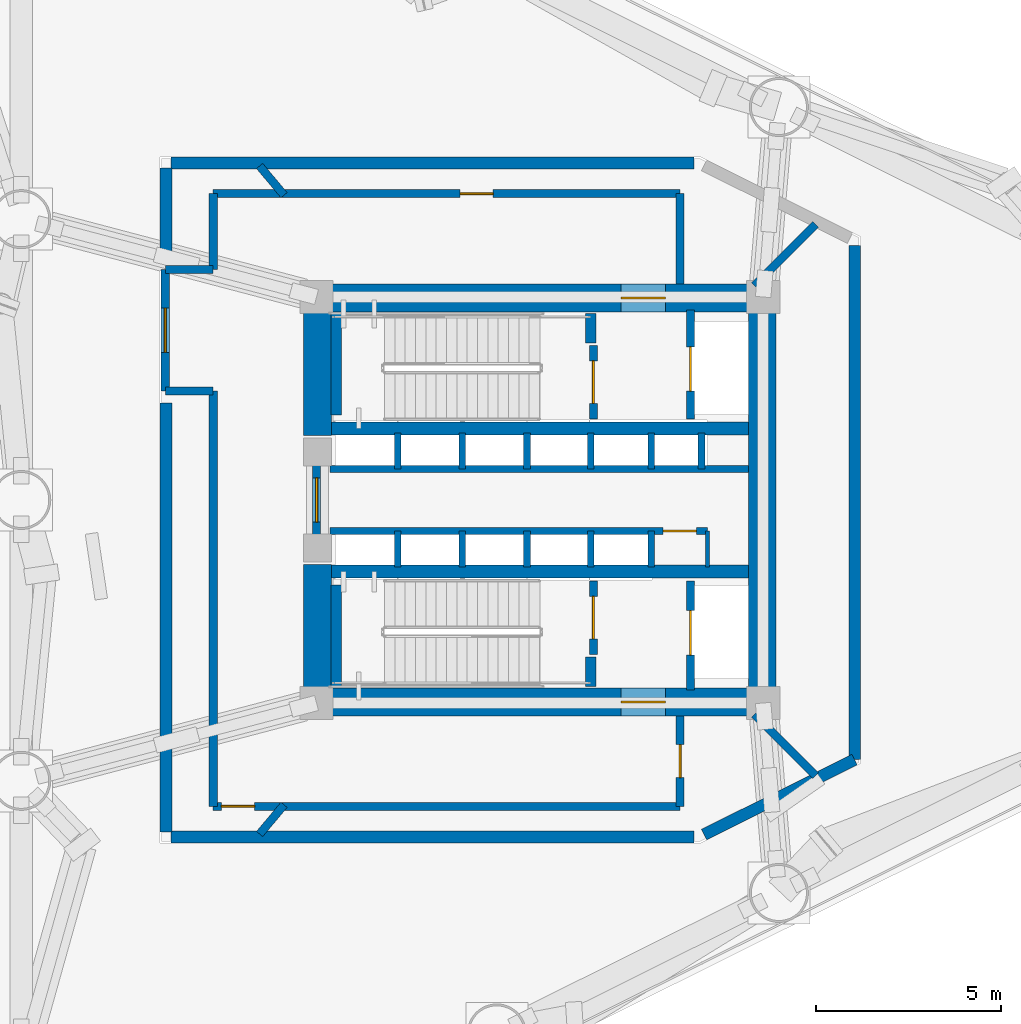
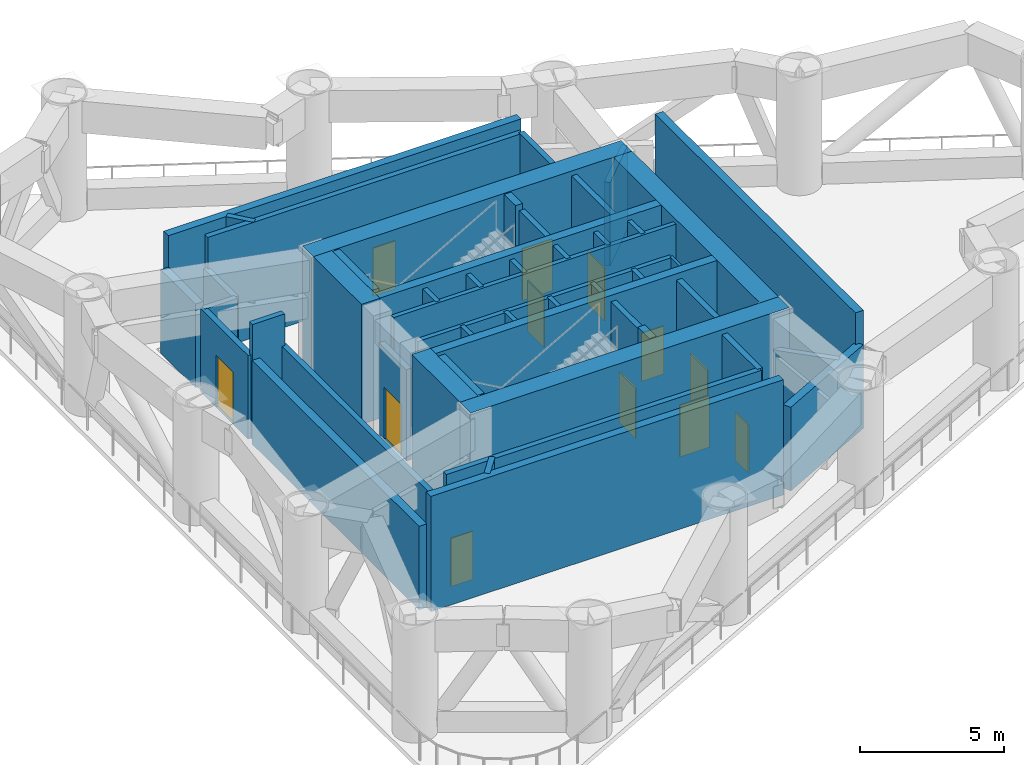
# One storey, part 4 of 8: 49 walls, 12 doors, 12 openings.
"""IFC4 building model written with IfcOpenShell, lengths in metres."""

from ifc_helpers import new_model, si_unit, direction, frame, frame_2d, origin, place, context, subcontext, project, spatial, rectangle, extrude, material, layer, layer_set, type_object, element, fill, save


model = new_model("IFC4")

# Units and contexts
model_context = context("Model", 3, precision=1e-05, world=origin(), true_north=direction((0.0, 1.0)))
body_context = subcontext(model_context, "Body", "Model", "MODEL_VIEW")
ifc_project = project(units=[si_unit("LENGTHUNIT", "METRE"), si_unit("AREAUNIT", "SQUARE_METRE"), si_unit("VOLUMEUNIT", "CUBIC_METRE"), si_unit("PLANEANGLEUNIT", "RADIAN"), si_unit("MASSUNIT", "GRAM", prefix="KILO")], contexts=[model_context])

# Site, building, storey
site_placement = place(None, origin())
site = spatial("IfcSite", under=ifc_project, at=site_placement, CompositionType="ELEMENT")
building_placement = place(site_placement, origin())
building = spatial("IfcBuilding", under=site, at=building_placement, Name="Yunling Apex Tower", CompositionType="ELEMENT")
storey_placement = place(building_placement, frame((0.0, 0.0, 49.699951171875)))
storey = spatial("IfcBuildingStorey", under=building, at=storey_placement, Name="RF1", CompositionType="ELEMENT", Elevation=49.699951171875)

# Wall, opening, door
ifc_material_1 = material(Name="Concrete C60", Category="concrete")
ifc_layer_1 = layer(ifc_material_1, 0.75)
ifc_layer_set_1 = layer_set([ifc_layer_1], Name="Concrete C60")
wall_type_1 = type_object("IfcWallType", Name="WL-COR-1", PredefinedType="SHEAR", material=ifc_layer_set_1)
wall_1_placement = place(storey_placement, frame((-6.39990234375, 5.47509765625, 0.0), z_axis=(0.0, 0.0, 1.0), x_axis=(1.0, 0.0, 0.0)))
wall_1 = element("IfcWall", 1, at=wall_1_placement, inside=storey, type_object=wall_type_1, Name="RF1 North Core Shear Wall", PredefinedType="SHEAR", context=body_context, shape_type="SweptSolid", body=[
    extrude(rectangle(XDim=12.7998046875, YDim=0.75, at=frame_2d((6.39990234375, 0.0))), origin(), (0.0, 0.0, 1.0), 5.10009765625),
])
opening_1_placement = place(wall_1_placement, frame((8.60009765625, 0.0, 0.0)))
opening_1 = element("IfcOpeningElement", 2, at=opening_1_placement, cuts=wall_1, Name="Opening DR-FFL-1", PredefinedType="OPENING", context=body_context, shape_type="SweptSolid", body=[
    extrude(rectangle(XDim=1.199951171875, YDim=2.199951171875, at=frame_2d((0.60009765625, 1.10009765625))), frame((0.0, 0.385009765625, 0.0), z_axis=(0.0, -1.0, 0.0), x_axis=(1.0, 0.0, 0.0)), (0.0, 0.0, 1.0), 0.77001953125),
])
ifc_material_2 = material(Name="Steel Q355B", Category="steel")
door_type_1 = type_object("IfcDoorType", Name="DR-FFL-1", OperationType="NOTDEFINED", PredefinedType="DOOR", material=ifc_material_2)
door_1_placement = place(opening_1_placement, origin())
door_1 = element("IfcDoor", 3, at=door_1_placement, inside=storey, type_object=door_type_1, Name="RF1 North Firefighting Lobby Door", OperationType="SINGLE_SWING_LEFT", OverallHeight=2.199951171875, OverallWidth=1.199951171875, PredefinedType="DOOR", context=body_context, shape_type="SweptSolid", body=[
    extrude(rectangle(XDim=1.199951171875, YDim=2.199951171875, at=frame_2d((0.60009765625, 1.10009765625))), frame((0.0, 0.02490234375, 0.0), z_axis=(0.0, -1.0, 0.0), x_axis=(1.0, 0.0, 0.0)), (0.0, 0.0, 1.0), 0.050048828125),
])
fill(opening_1, door_1)

wall_2_placement = place(storey_placement, frame((-6.39990234375, -5.47509765625, 0.0), z_axis=(0.0, 0.0, 1.0), x_axis=(1.0, 0.0, 0.0)))
wall_2 = element("IfcWall", 4, at=wall_2_placement, inside=storey, type_object=wall_type_1, Name="RF1 South Core Shear Wall", PredefinedType="SHEAR", context=body_context, shape_type="SweptSolid", body=[
    extrude(rectangle(XDim=12.7998046875, YDim=0.75, at=frame_2d((6.39990234375, 0.0))), origin(), (0.0, 0.0, 1.0), 5.10009765625),
])
opening_2_placement = place(wall_2_placement, frame((8.60009765625, 0.0, 0.0)))
opening_2 = element("IfcOpeningElement", 5, at=opening_2_placement, cuts=wall_2, Name="Opening DR-FFL-1", PredefinedType="OPENING", context=body_context, shape_type="SweptSolid", body=[
    extrude(rectangle(XDim=1.199951171875, YDim=2.199951171875, at=frame_2d((0.60009765625, 1.10009765625))), frame((0.0, 0.385009765625, 0.0), z_axis=(0.0, -1.0, 0.0), x_axis=(1.0, 0.0, 0.0)), (0.0, 0.0, 1.0), 0.77001953125),
])
door_2_placement = place(opening_2_placement, origin())
door_2 = element("IfcDoor", 6, at=door_2_placement, inside=storey, type_object=door_type_1, Name="RF1 South Firefighting Lobby Door", OperationType="SINGLE_SWING_RIGHT", OverallHeight=2.199951171875, OverallWidth=1.199951171875, PredefinedType="DOOR", context=body_context, shape_type="SweptSolid", body=[
    extrude(rectangle(XDim=1.199951171875, YDim=2.199951171875, at=frame_2d((0.60009765625, 1.10009765625))), frame((0.0, 0.02490234375, 0.0), z_axis=(0.0, -1.0, 0.0), x_axis=(1.0, 0.0, 0.0)), (0.0, 0.0, 1.0), 0.050048828125),
])
fill(opening_2, door_2)

# Walls
wall_3_placement = place(storey_placement, frame((6.02490234375, -5.10009765625, 0.0), z_axis=(0.0, 0.0, 1.0), x_axis=(0.0, 1.0, 0.0)))
element("IfcWall", 7, at=wall_3_placement, inside=storey, type_object=wall_type_1, Name="RF1 East Core Shear Wall", PredefinedType="SHEAR", context=body_context, shape_type="SweptSolid", body=[
    extrude(rectangle(XDim=10.2001953125, YDim=0.75, at=frame_2d((5.10009765625, 0.0))), origin(), (0.0, 0.0, 1.0), 5.10009765625),
])
for number, where, z_axis, x_axis, name in (
    (8, (-6.02490234375, -5.10009765625, 0.0), (0.0, 0.0, 1.0), (0.0, 1.0, 0.0), "RF1 West-South Core Shear Wall"),
    (9, (-6.02490234375, 1.75, 0.0), (0.0, 0.0, 1.0), (0.0, 1.0, 0.0), "RF1 West-North Core Shear Wall"),
):
    element("IfcWall", number, at=place(storey_placement, frame(where, z_axis=z_axis, x_axis=x_axis)), inside=storey, type_object=wall_type_1, Name=name, PredefinedType="SHEAR", context=body_context, shape_type="SweptSolid", body=[
        extrude(rectangle(XDim=3.35009765625, YDim=0.75, at=frame_2d((1.675048828125, 0.0))), origin(), (0.0, 0.0, 1.0), 5.10009765625),
    ])
ifc_material_3 = material(Name="Concrete C40", Category="concrete")
ifc_layer_2 = layer(ifc_material_3, 0.360107421875)
ifc_layer_set_2 = layer_set([ifc_layer_2], Name="Concrete C40")
wall_type_2 = type_object("IfcWallType", Name="WL-COR-4", PredefinedType="SHEAR", material=ifc_layer_set_2)
for number, where, z_axis, x_axis, name in (
    (10, (-5.64990234375, 1.93994140625, 0.0), (0.0, 0.0, 1.0), (1.0, 0.0, 0.0), "RF1 North Internal Core Shear Wall"),
    (11, (-5.64990234375, -1.93994140625, 0.0), (0.0, 0.0, 1.0), (1.0, 0.0, 0.0), "RF1 South Internal Core Shear Wall"),
):
    element("IfcWall", number, at=place(storey_placement, frame(where, z_axis=z_axis, x_axis=x_axis)), inside=storey, type_object=wall_type_2, Name=name, PredefinedType="SHEAR", context=body_context, shape_type="SweptSolid", body=[
        extrude(rectangle(XDim=11.2998046875, YDim=0.360107421875, at=frame_2d((5.64990234375, 0.0))), origin(), (0.0, 0.0, 1.0), 5.10009765625),
    ])
ifc_layer_3 = layer(ifc_material_3, 0.280029296875)
ifc_layer_set_3 = layer_set([ifc_layer_3], Name="Concrete C40")
wall_type_3 = type_object("IfcWallType", Name="WL-COR-8", PredefinedType="SHEAR", material=ifc_layer_set_3)
wall_4_placement = place(storey_placement, frame((-5.52001953125, 2.300048828125, 0.0), z_axis=(0.0, 0.0, 1.0), x_axis=(0.0, 1.0, 0.0)))
element("IfcWall", 12, at=wall_4_placement, inside=storey, type_object=wall_type_3, Name="RF1 ST-1 West Landing Bearing Wall", PredefinedType="SHEAR", context=body_context, shape_type="SweptSolid", body=[
    extrude(rectangle(XDim=2.75, YDim=0.280029296875, at=frame_2d((1.375, 0.0))), origin(), (0.0, 0.0, 1.0), 5.10009765625),
])
wall_5_placement = place(storey_placement, frame((1.3798828125, 4.25, 0.0), z_axis=(0.0, 0.0, 1.0), x_axis=(0.0, 1.0, 0.0)))
element("IfcWall", 13, at=wall_5_placement, inside=storey, type_object=wall_type_3, Name="RF1 ST-1 East Landing Bearing Pier", PredefinedType="SHEAR", context=body_context, shape_type="SweptSolid", body=[
    extrude(rectangle(XDim=0.800048828125, YDim=0.280029296875, at=frame_2d((0.39990234375, 0.0))), origin(), (0.0, 0.0, 1.0), 5.10009765625),
])
wall_6_placement = place(storey_placement, frame((-5.52001953125, -5.050048828125, 0.0), z_axis=(0.0, 0.0, 1.0), x_axis=(0.0, 1.0, 0.0)))
element("IfcWall", 14, at=wall_6_placement, inside=storey, type_object=wall_type_3, Name="RF1 ST-2 West Landing Bearing Wall", PredefinedType="SHEAR", context=body_context, shape_type="SweptSolid", body=[
    extrude(rectangle(XDim=2.75, YDim=0.280029296875, at=frame_2d((1.375, 0.0))), origin(), (0.0, 0.0, 1.0), 5.10009765625),
])
wall_7_placement = place(storey_placement, frame((1.3798828125, -5.050048828125, 0.0), z_axis=(0.0, 0.0, 1.0), x_axis=(0.0, 1.0, 0.0)))
element("IfcWall", 15, at=wall_7_placement, inside=storey, type_object=wall_type_3, Name="RF1 ST-2 East Landing Bearing Pier", PredefinedType="SHEAR", context=body_context, shape_type="SweptSolid", body=[
    extrude(rectangle(XDim=0.800048828125, YDim=0.280029296875, at=frame_2d((0.39990234375, 0.0))), origin(), (0.0, 0.0, 1.0), 5.10009765625),
])
ifc_material_4 = material(Name="Precast concrete C40", Category="concrete")
ifc_layer_4 = layer(ifc_material_4, 0.320068359375)
ifc_layer_set_4 = layer_set([ifc_layer_4], Name="Precast concrete C40")
wall_type_4 = type_object("IfcWallType", Name="WL-EXT-1", PredefinedType="SOLIDWALL", material=ifc_layer_set_4)
wall_8_placement = place(storey_placement, frame((8.530029296875, -7.03515625, 0.0), z_axis=(0.0, 0.0, 1.0), x_axis=(-0.89523927292, -0.445585731619, 0.0)))
element("IfcWall", 16, at=wall_8_placement, inside=storey, type_object=wall_type_4, Name="WL-RF1-IR-01", PredefinedType="SOLIDWALL", context=body_context, shape_type="SweptSolid", body=[
    extrude(rectangle(XDim=4.561279296875, YDim=0.320068359375, at=frame_2d((2.28076171875, 0.0))), origin(), (0.0, 0.0, 1.0), 3.550048828125),
])
wall_9_placement = place(storey_placement, frame((4.18115234375, -9.1298828125, 0.0), z_axis=(0.0, 0.0, 1.0), x_axis=(-1.0, 0.0, 0.0)))
element("IfcWall", 17, at=wall_9_placement, inside=storey, type_object=wall_type_4, Name="WL-RF1-IR-02", PredefinedType="SOLIDWALL", context=body_context, shape_type="SweptSolid", body=[
    extrude(rectangle(XDim=14.171142578125, YDim=0.320068359375, at=frame_2d((7.08544921875, 0.0))), origin(), (0.0, 0.0, 1.0), 4.89501953125),
])
wall_10_placement = place(storey_placement, frame((-10.1298828125, -8.989990234375, 0.0), z_axis=(0.0, 0.0, 1.0), x_axis=(0.0, 1.0, 0.0)))
element("IfcWall", 18, at=wall_10_placement, inside=storey, type_object=wall_type_4, Name="WL-RF1-IR-03", PredefinedType="SOLIDWALL", context=body_context, shape_type="SweptSolid", body=[
    extrude(rectangle(XDim=11.619873046875, YDim=0.320068359375, at=frame_2d((5.81005859375, 0.0))), origin(), (0.0, 0.0, 1.0), 3.550048828125),
])
wall_11_placement = place(storey_placement, frame((-10.1298828125, 6.570068359375, 0.0), z_axis=(0.0, 0.0, 1.0), x_axis=(0.0, 1.0, 0.0)))
element("IfcWall", 19, at=wall_11_placement, inside=storey, type_object=wall_type_4, Name="WL-RF1-IR-04", PredefinedType="SOLIDWALL", context=body_context, shape_type="SweptSolid", body=[
    extrude(rectangle(XDim=2.419921875, YDim=0.320068359375, at=frame_2d((1.2099609375, 0.0))), origin(), (0.0, 0.0, 1.0), 3.550048828125),
])
wall_12_placement = place(storey_placement, frame((-9.989990234375, 9.1298828125, 0.0), z_axis=(0.0, 0.0, 1.0), x_axis=(1.0, 0.0, 0.0)))
element("IfcWall", 20, at=wall_12_placement, inside=storey, type_object=wall_type_4, Name="WL-RF1-IR-05", PredefinedType="SOLIDWALL", context=body_context, shape_type="SweptSolid", body=[
    extrude(rectangle(XDim=14.171142578125, YDim=0.320068359375, at=frame_2d((7.08544921875, 0.0))), origin(), (0.0, 0.0, 1.0), 4.89501953125),
])
wall_13_placement = place(storey_placement, frame((8.530029296875, 6.895263671875, 0.0), z_axis=(0.0, 0.0, 1.0), x_axis=(0.0, -1.0, 0.0)))
element("IfcWall", 21, at=wall_13_placement, inside=storey, type_object=wall_type_4, Name="WL-RF1-IR-07", PredefinedType="SOLIDWALL", context=body_context, shape_type="SweptSolid", body=[
    extrude(rectangle(XDim=13.930419921875, YDim=0.320068359375, at=frame_2d((6.96533203125, 0.0))), origin(), (0.0, 0.0, 1.0), 4.89501953125),
])
ifc_material_5 = material(Name="Gypsum board acoustic partition")
ifc_layer_5 = layer(ifc_material_5, 0.10009765625)
ifc_layer_set_5 = layer_set([ifc_layer_5], Name="Gypsum board acoustic partition")
wall_type_5 = type_object("IfcWallType", Name="WL-PRT-4", PredefinedType="PARTITIONING", material=ifc_layer_set_5)
wall_14_placement = place(storey_placement, frame((4.5400390625, -1.820068359375, 0.0), z_axis=(0.0, 0.0, 1.0), x_axis=(0.0, 1.0, 0.0)))
element("IfcWall", 22, at=wall_14_placement, inside=storey, type_object=wall_type_5, Name="WL-KASE-E-RF1", PredefinedType="PARTITIONING", context=body_context, shape_type="SweptSolid", body=[
    extrude(rectangle(XDim=0.97998046875, YDim=0.10009765625, at=frame_2d((0.489990234375, 0.0))), origin(), (0.0, 0.0, 1.0), 4.89501953125),
])

# Wall, opening, door
ifc_material_6 = material(Name="Autoclaved aerated concrete masonry", Category="masonry")
ifc_layer_6 = layer(ifc_material_6, 0.219970703125)
ifc_layer_set_6 = layer_set([ifc_layer_6], Name="Autoclaved aerated concrete masonry")
wall_type_6 = type_object("IfcWallType", Name="WL-SHF-1", PredefinedType="PLUMBINGWALL", material=ifc_layer_set_6)
wall_15_placement = place(storey_placement, frame((-6.050048828125, -0.949951171875, 0.0), z_axis=(0.0, 0.0, 1.0), x_axis=(0.0, 1.0, 0.0)))
wall_15 = element("IfcWall", 23, at=wall_15_placement, inside=storey, type_object=wall_type_6, Name="WL-COR-WPORT-RF1", PredefinedType="PLUMBINGWALL", context=body_context, shape_type="SweptSolid", body=[
    extrude(rectangle(XDim=1.89990234375, YDim=0.219970703125, at=frame_2d((0.949951171875, 0.0))), origin(), (0.0, 0.0, 1.0), 3.875),
])
opening_3_placement = place(wall_15_placement, frame((0.35009765625, 0.0, 0.0)))
opening_3 = element("IfcOpeningElement", 24, at=opening_3_placement, cuts=wall_15, Name="Opening DR-FFL-1", PredefinedType="OPENING", context=body_context, shape_type="SweptSolid", body=[
    extrude(rectangle(XDim=1.199951171875, YDim=2.199951171875, at=frame_2d((0.60009765625, 1.10009765625))), frame((0.0, 0.1201171875, 0.0), z_axis=(0.0, -1.0, 0.0), x_axis=(1.0, 0.0, 0.0)), (0.0, 0.0, 1.0), 0.239990234375),
])
door_3_placement = place(opening_3_placement, origin())
door_3 = element("IfcDoor", 25, at=door_3_placement, inside=storey, type_object=door_type_1, Name="RF1 Passenger Lift Lobby Entrance Door", OperationType="SINGLE_SWING_RIGHT", OverallHeight=2.199951171875, OverallWidth=1.199951171875, PredefinedType="DOOR", context=body_context, shape_type="SweptSolid", body=[
    extrude(rectangle(XDim=1.199951171875, YDim=2.199951171875, at=frame_2d((0.60009765625, 1.10009765625))), frame((0.0, 0.02490234375, 0.0), z_axis=(0.0, -1.0, 0.0), x_axis=(1.0, 0.0, 0.0)), (0.0, 0.0, 1.0), 0.050048828125),
])
fill(opening_3, door_3)

wall_16_placement = place(storey_placement, frame((1.449951171875, 2.199951171875, 0.0), z_axis=(0.0, 0.0, 1.0), x_axis=(0.0, 1.0, 0.0)))
wall_16 = element("IfcWall", 26, at=wall_16_placement, inside=storey, type_object=wall_type_6, Name="WL-ST1-E-RF1", PredefinedType="PLUMBINGWALL", context=body_context, shape_type="SweptSolid", body=[
    extrude(rectangle(XDim=1.97998046875, YDim=0.219970703125, at=frame_2d((0.989990234375, 0.0))), origin(), (0.0, 0.0, 1.0), 4.89501953125),
])
opening_4_placement = place(wall_16_placement, frame((0.419921875, 0.0, 0.0)))
opening_4 = element("IfcOpeningElement", 27, at=opening_4_placement, cuts=wall_16, Name="Opening DR-ST-1", PredefinedType="OPENING", context=body_context, shape_type="SweptSolid", body=[
    extrude(rectangle(XDim=1.14990234375, YDim=2.14990234375, at=frame_2d((0.574951171875, 1.074951171875))), frame((0.0, 0.1201171875, 0.0), z_axis=(0.0, -1.0, 0.0), x_axis=(1.0, 0.0, 0.0)), (0.0, 0.0, 1.0), 0.239990234375),
])
door_type_2 = type_object("IfcDoorType", Name="DR-ST-1", OperationType="NOTDEFINED", PredefinedType="DOOR", material=ifc_material_2)
door_4_placement = place(opening_4_placement, origin())
door_4 = element("IfcDoor", 28, at=door_4_placement, inside=storey, type_object=door_type_2, Name="RF1 Stair ST-1 Fire Door", OperationType="SINGLE_SWING_LEFT", OverallHeight=2.14990234375, OverallWidth=1.14990234375, PredefinedType="DOOR", context=body_context, shape_type="SweptSolid", body=[
    extrude(rectangle(XDim=1.14990234375, YDim=2.14990234375, at=frame_2d((0.574951171875, 1.074951171875))), frame((0.0, 0.02490234375, 0.0), z_axis=(0.0, -1.0, 0.0), x_axis=(1.0, 0.0, 0.0)), (0.0, 0.0, 1.0), 0.050048828125),
])
fill(opening_4, door_4)

wall_17_placement = place(storey_placement, frame((4.080078125, 2.199951171875, 0.0), z_axis=(0.0, 0.0, 1.0), x_axis=(0.0, 1.0, 0.0)))
wall_17 = element("IfcWall", 29, at=wall_17_placement, inside=storey, type_object=wall_type_6, Name="WL-FFL1-W-RF1", PredefinedType="PLUMBINGWALL", context=body_context, shape_type="SweptSolid", body=[
    extrude(rectangle(XDim=2.949951171875, YDim=0.219970703125, at=frame_2d((1.47509765625, 0.0))), origin(), (0.0, 0.0, 1.0), 4.89501953125),
])
opening_5_placement = place(wall_17_placement, frame((0.75, 0.0, 0.0)))
opening_5 = element("IfcOpeningElement", 30, at=opening_5_placement, cuts=wall_17, Name="Opening LD-FFL-1", PredefinedType="OPENING", context=body_context, shape_type="SweptSolid", body=[
    extrude(rectangle(XDim=1.199951171875, YDim=2.25, at=frame_2d((0.60009765625, 1.125))), frame((0.0, 0.1201171875, 0.0), z_axis=(0.0, -1.0, 0.0), x_axis=(1.0, 0.0, 0.0)), (0.0, 0.0, 1.0), 0.239990234375),
])
door_type_3 = type_object("IfcDoorType", Name="LD-FFL-1", OperationType="DOUBLE_DOOR_SLIDING", PredefinedType="DOOR", material=ifc_material_2)
door_5_placement = place(opening_5_placement, origin())
door_5 = element("IfcDoor", 31, at=door_5_placement, inside=storey, type_object=door_type_3, Name="RF1 Lift FFL-1 Landing Door", OperationType="DOUBLE_DOOR_SLIDING", OverallHeight=2.25, OverallWidth=1.199951171875, PredefinedType="DOOR", context=body_context, shape_type="SweptSolid", body=[
    extrude(rectangle(XDim=1.199951171875, YDim=2.25, at=frame_2d((0.60009765625, 1.125))), frame((0.0, 0.02490234375, 0.0), z_axis=(0.0, -1.0, 0.0), x_axis=(1.0, 0.0, 0.0)), (0.0, 0.0, 1.0), 0.050048828125),
])
fill(opening_5, door_5)

wall_18_placement = place(storey_placement, frame((1.449951171875, -4.179931640625, 0.0), z_axis=(0.0, 0.0, 1.0), x_axis=(0.0, 1.0, 0.0)))
wall_18 = element("IfcWall", 32, at=wall_18_placement, inside=storey, type_object=wall_type_6, Name="WL-ST2-E-RF1", PredefinedType="PLUMBINGWALL", context=body_context, shape_type="SweptSolid", body=[
    extrude(rectangle(XDim=1.97998046875, YDim=0.219970703125, at=frame_2d((0.989990234375, 0.0))), origin(), (0.0, 0.0, 1.0), 4.89501953125),
])
opening_6_placement = place(wall_18_placement, frame((0.419921875, 0.0, 0.0)))
opening_6 = element("IfcOpeningElement", 33, at=opening_6_placement, cuts=wall_18, Name="Opening DR-ST-1", PredefinedType="OPENING", context=body_context, shape_type="SweptSolid", body=[
    extrude(rectangle(XDim=1.14990234375, YDim=2.14990234375, at=frame_2d((0.574951171875, 1.074951171875))), frame((0.0, 0.1201171875, 0.0), z_axis=(0.0, -1.0, 0.0), x_axis=(1.0, 0.0, 0.0)), (0.0, 0.0, 1.0), 0.239990234375),
])
door_6_placement = place(opening_6_placement, origin())
door_6 = element("IfcDoor", 34, at=door_6_placement, inside=storey, type_object=door_type_2, Name="RF1 Stair ST-2 Fire Door", OperationType="SINGLE_SWING_RIGHT", OverallHeight=2.14990234375, OverallWidth=1.14990234375, PredefinedType="DOOR", context=body_context, shape_type="SweptSolid", body=[
    extrude(rectangle(XDim=1.14990234375, YDim=2.14990234375, at=frame_2d((0.574951171875, 1.074951171875))), frame((0.0, 0.02490234375, 0.0), z_axis=(0.0, -1.0, 0.0), x_axis=(1.0, 0.0, 0.0)), (0.0, 0.0, 1.0), 0.050048828125),
])
fill(opening_6, door_6)

wall_19_placement = place(storey_placement, frame((4.080078125, -5.14990234375, 0.0), z_axis=(0.0, 0.0, 1.0), x_axis=(0.0, 1.0, 0.0)))
wall_19 = element("IfcWall", 35, at=wall_19_placement, inside=storey, type_object=wall_type_6, Name="WL-FFL2-W-RF1", PredefinedType="PLUMBINGWALL", context=body_context, shape_type="SweptSolid", body=[
    extrude(rectangle(XDim=2.949951171875, YDim=0.219970703125, at=frame_2d((1.47509765625, 0.0))), origin(), (0.0, 0.0, 1.0), 4.89501953125),
])
opening_7_placement = place(wall_19_placement, frame((0.949951171875, 0.0, 0.0)))
opening_7 = element("IfcOpeningElement", 36, at=opening_7_placement, cuts=wall_19, Name="Opening LD-FFL-1", PredefinedType="OPENING", context=body_context, shape_type="SweptSolid", body=[
    extrude(rectangle(XDim=1.199951171875, YDim=2.25, at=frame_2d((0.60009765625, 1.125))), frame((0.0, 0.1201171875, 0.0), z_axis=(0.0, -1.0, 0.0), x_axis=(1.0, 0.0, 0.0)), (0.0, 0.0, 1.0), 0.239990234375),
])
door_7_placement = place(opening_7_placement, origin())
door_7 = element("IfcDoor", 37, at=door_7_placement, inside=storey, type_object=door_type_3, Name="RF1 Lift FFL-2 Landing Door", OperationType="DOUBLE_DOOR_SLIDING", OverallHeight=2.25, OverallWidth=1.199951171875, PredefinedType="DOOR", context=body_context, shape_type="SweptSolid", body=[
    extrude(rectangle(XDim=1.199951171875, YDim=2.25, at=frame_2d((0.60009765625, 1.125))), frame((0.0, 0.02490234375, 0.0), z_axis=(0.0, -1.0, 0.0), x_axis=(1.0, 0.0, 0.0)), (0.0, 0.0, 1.0), 0.050048828125),
])
fill(opening_7, door_7)

# Walls
wall_20_placement = place(storey_placement, frame((5.81005859375, 5.81005859375, 0.0), z_axis=(0.0, 0.0, 1.0), x_axis=(0.707106781187, 0.707106781187, 0.0)))
element("IfcWall", 38, at=wall_20_placement, inside=storey, type_object=wall_type_6, Name="WL-RF1-PDIV-45", PredefinedType="PLUMBINGWALL", context=body_context, shape_type="SweptSolid", body=[
    extrude(rectangle(XDim=2.350830078125, YDim=0.219970703125, at=frame_2d((1.17529296875, 0.0))), origin(), (0.0, 0.0, 1.0), 3.550048828125),
])
for number, where, z_axis, x_axis, name in (
    (39, (-6.930908203125, 8.260009765625, 0.0), (0.0, 0.0, 1.0), (-0.642881168458, 0.765965928251, 0.0), "WL-RF1-PDIV-130"),
    (40, (-6.930908203125, -8.260009765625, 0.0), (0.0, 0.0, 1.0), (-0.642881168458, -0.765965928251, 0.0), "WL-RF1-PDIV-230"),
):
    element("IfcWall", number, at=place(storey_placement, frame(where, z_axis=z_axis, x_axis=x_axis)), inside=storey, type_object=wall_type_6, Name=name, PredefinedType="PLUMBINGWALL", context=body_context, shape_type="SweptSolid", body=[
        extrude(rectangle(XDim=1.031494140625, YDim=0.219970703125, at=frame_2d((0.515625, 0.0))), origin(), (0.0, 0.0, 1.0), 4.89501953125),
    ])
wall_21_placement = place(storey_placement, frame((5.81005859375, -5.81005859375, 0.0), z_axis=(0.0, 0.0, 1.0), x_axis=(0.707106781187, -0.707106781187, 0.0)))
element("IfcWall", 41, at=wall_21_placement, inside=storey, type_object=wall_type_6, Name="WL-RF1-PDIV-315", PredefinedType="PLUMBINGWALL", context=body_context, shape_type="SweptSolid", body=[
    extrude(rectangle(XDim=2.350830078125, YDim=0.219970703125, at=frame_2d((1.17529296875, 0.0))), origin(), (0.0, 0.0, 1.0), 3.550048828125),
])

# Wall, opening, door
wall_22_placement = place(storey_placement, frame((3.800048828125, -5.85009765625, 0.0), z_axis=(0.0, 0.0, 1.0), x_axis=(0.0, -1.0, 0.0)))
wall_22 = element("IfcWall", 42, at=wall_22_placement, inside=storey, type_object=wall_type_6, Name="WL-RF1-PCR-01", PredefinedType="PLUMBINGWALL", context=body_context, shape_type="SweptSolid", body=[
    extrude(rectangle(XDim=2.449951171875, YDim=0.219970703125, at=frame_2d((1.22509765625, 0.0))), origin(), (0.0, 0.0, 1.0), 4.89501953125),
])
opening_8_placement = place(wall_22_placement, frame((0.77490234375, 0.0, 0.0)))
opening_8 = element("IfcOpeningElement", 43, at=opening_8_placement, cuts=wall_22, Name="Opening DR-SHF-1", PredefinedType="OPENING", context=body_context, shape_type="SweptSolid", body=[
    extrude(rectangle(XDim=0.89990234375, YDim=2.050048828125, at=frame_2d((0.449951171875, 1.02490234375))), frame((0.0, 0.1201171875, 0.0), z_axis=(0.0, -1.0, 0.0), x_axis=(1.0, 0.0, 0.0)), (0.0, 0.0, 1.0), 0.239990234375),
])
door_type_4 = type_object("IfcDoorType", Name="DR-SHF-1", OperationType="NOTDEFINED", PredefinedType="DOOR", material=ifc_material_2)
door_8_placement = place(opening_8_placement, origin())
door_8 = element("IfcDoor", 44, at=door_8_placement, inside=storey, type_object=door_type_4, Name="RF1 Dedicated Outdoor Air AHU Fan Plant Room Door", OperationType="SINGLE_SWING_RIGHT", OverallHeight=2.050048828125, OverallWidth=0.89990234375, PredefinedType="DOOR", context=body_context, shape_type="SweptSolid", body=[
    extrude(rectangle(XDim=0.89990234375, YDim=2.050048828125, at=frame_2d((0.449951171875, 1.02490234375))), frame((0.0, 0.02490234375, 0.0), z_axis=(0.0, -1.0, 0.0), x_axis=(1.0, 0.0, 0.0)), (0.0, 0.0, 1.0), 0.050048828125),
])
fill(opening_8, door_8)

wall_23_placement = place(storey_placement, frame((3.800048828125, -8.300048828125, 0.0), z_axis=(0.0, 0.0, 1.0), x_axis=(-1.0, 0.0, 0.0)))
wall_23 = element("IfcWall", 45, at=wall_23_placement, inside=storey, type_object=wall_type_6, Name="WL-RF1-PCR-02", PredefinedType="PLUMBINGWALL", context=body_context, shape_type="SweptSolid", body=[
    extrude(rectangle(XDim=12.650146484375, YDim=0.219970703125, at=frame_2d((6.3251953125, 0.0))), origin(), (0.0, 0.0, 1.0), 4.89501953125),
])
opening_9_placement = place(wall_23_placement, frame((11.530029296875, 0.0, 0.0)))
opening_9 = element("IfcOpeningElement", 46, at=opening_9_placement, cuts=wall_23, Name="Opening DR-SHF-1", PredefinedType="OPENING", context=body_context, shape_type="SweptSolid", body=[
    extrude(rectangle(XDim=0.89990234375, YDim=2.050048828125, at=frame_2d((0.449951171875, 1.02490234375))), frame((0.0, 0.1201171875, 0.0), z_axis=(0.0, -1.0, 0.0), x_axis=(1.0, 0.0, 0.0)), (0.0, 0.0, 1.0), 0.239990234375),
])
door_9_placement = place(opening_9_placement, origin())
door_9 = element("IfcDoor", 47, at=door_9_placement, inside=storey, type_object=door_type_4, Name="RF1 Plate Heat-Exchanger and Chiller Plant Room Door", OperationType="SINGLE_SWING_LEFT", OverallHeight=2.050048828125, OverallWidth=0.89990234375, PredefinedType="DOOR", context=body_context, shape_type="SweptSolid", body=[
    extrude(rectangle(XDim=0.89990234375, YDim=2.050048828125, at=frame_2d((0.449951171875, 1.02490234375))), frame((0.0, 0.02490234375, 0.0), z_axis=(0.0, -1.0, 0.0), x_axis=(1.0, 0.0, 0.0)), (0.0, 0.0, 1.0), 0.050048828125),
])
fill(opening_9, door_9)

# Walls
wall_24_placement = place(storey_placement, frame((-8.85009765625, -8.300048828125, 0.0), z_axis=(0.0, 0.0, 1.0), x_axis=(0.0, 1.0, 0.0)))
element("IfcWall", 48, at=wall_24_placement, inside=storey, type_object=wall_type_6, Name="WL-RF1-PCR-03", PredefinedType="PLUMBINGWALL", context=body_context, shape_type="SweptSolid", body=[
    extrude(rectangle(XDim=11.25, YDim=0.219970703125, at=frame_2d((5.625, 0.0))), origin(), (0.0, 0.0, 1.0), 3.550048828125),
])
wall_25_placement = place(storey_placement, frame((-8.85009765625, 2.949951171875, 0.0), z_axis=(0.0, 0.0, 1.0), x_axis=(-1.0, 0.0, 0.0)))
element("IfcWall", 49, at=wall_25_placement, inside=storey, type_object=wall_type_6, Name="WL-RF1-PCR-04", PredefinedType="PLUMBINGWALL", context=body_context, shape_type="SweptSolid", body=[
    extrude(rectangle(XDim=1.2998046875, YDim=0.219970703125, at=frame_2d((0.64990234375, 0.0))), origin(), (0.0, 0.0, 1.0), 4.89501953125),
])

# Wall, opening, door
wall_26_placement = place(storey_placement, frame((-10.14990234375, 2.949951171875, 0.0), z_axis=(0.0, 0.0, 1.0), x_axis=(0.0, 1.0, 0.0)))
wall_26 = element("IfcWall", 50, at=wall_26_placement, inside=storey, type_object=wall_type_6, Name="WL-RF1-PCR-05", PredefinedType="PLUMBINGWALL", context=body_context, shape_type="SweptSolid", body=[
    extrude(rectangle(XDim=3.300048828125, YDim=0.219970703125, at=frame_2d((1.64990234375, 0.0))), origin(), (0.0, 0.0, 1.0), 3.550048828125),
])
opening_10_placement = place(wall_26_placement, frame((1.050048828125, 0.0, 0.0)))
opening_10 = element("IfcOpeningElement", 51, at=opening_10_placement, cuts=wall_26, Name="Opening DR-FFL-1", PredefinedType="OPENING", context=body_context, shape_type="SweptSolid", body=[
    extrude(rectangle(XDim=1.199951171875, YDim=2.199951171875, at=frame_2d((0.60009765625, 1.10009765625))), frame((0.0, 0.1201171875, 0.0), z_axis=(0.0, -1.0, 0.0), x_axis=(1.0, 0.0, 0.0)), (0.0, 0.0, 1.0), 0.239990234375),
])
door_10_placement = place(opening_10_placement, origin())
door_10 = element("IfcDoor", 52, at=door_10_placement, inside=storey, type_object=door_type_1, Name="RF1 West Refuge Terrace Exit Door", OperationType="SINGLE_SWING_RIGHT", OverallHeight=2.199951171875, OverallWidth=1.199951171875, PredefinedType="DOOR", context=body_context, shape_type="SweptSolid", body=[
    extrude(rectangle(XDim=1.199951171875, YDim=2.199951171875, at=frame_2d((0.60009765625, 1.10009765625))), frame((0.0, 0.02490234375, 0.0), z_axis=(0.0, -1.0, 0.0), x_axis=(1.0, 0.0, 0.0)), (0.0, 0.0, 1.0), 0.050048828125),
])
fill(opening_10, door_10)

# Walls
wall_27_placement = place(storey_placement, frame((-10.14990234375, 6.25, 0.0), z_axis=(0.0, 0.0, 1.0), x_axis=(1.0, 0.0, 0.0)))
element("IfcWall", 53, at=wall_27_placement, inside=storey, type_object=wall_type_6, Name="WL-RF1-PCR-06", PredefinedType="PLUMBINGWALL", context=body_context, shape_type="SweptSolid", body=[
    extrude(rectangle(XDim=1.2998046875, YDim=0.219970703125, at=frame_2d((0.64990234375, 0.0))), origin(), (0.0, 0.0, 1.0), 3.550048828125),
])
wall_28_placement = place(storey_placement, frame((-8.85009765625, 6.25, 0.0), z_axis=(0.0, 0.0, 1.0), x_axis=(0.0, 1.0, 0.0)))
element("IfcWall", 54, at=wall_28_placement, inside=storey, type_object=wall_type_6, Name="WL-RF1-PCR-07", PredefinedType="PLUMBINGWALL", context=body_context, shape_type="SweptSolid", body=[
    extrude(rectangle(XDim=2.050048828125, YDim=0.219970703125, at=frame_2d((1.02490234375, 0.0))), origin(), (0.0, 0.0, 1.0), 3.550048828125),
])

# Wall, opening, door
wall_29_placement = place(storey_placement, frame((-8.85009765625, 8.300048828125, 0.0), z_axis=(0.0, 0.0, 1.0), x_axis=(1.0, 0.0, 0.0)))
wall_29 = element("IfcWall", 55, at=wall_29_placement, inside=storey, type_object=wall_type_6, Name="WL-RF1-PCR-08", PredefinedType="PLUMBINGWALL", context=body_context, shape_type="SweptSolid", body=[
    extrude(rectangle(XDim=12.650146484375, YDim=0.219970703125, at=frame_2d((6.3251953125, 0.0))), origin(), (0.0, 0.0, 1.0), 4.89501953125),
])
opening_11_placement = place(wall_29_placement, frame((6.687255859375, 0.0, 0.0)))
opening_11 = element("IfcOpeningElement", 56, at=opening_11_placement, cuts=wall_29, Name="Opening DR-SHF-1", PredefinedType="OPENING", context=body_context, shape_type="SweptSolid", body=[
    extrude(rectangle(XDim=0.89990234375, YDim=2.050048828125, at=frame_2d((0.449951171875, 1.02490234375))), frame((0.0, 0.1201171875, 0.0), z_axis=(0.0, -1.0, 0.0), x_axis=(1.0, 0.0, 0.0)), (0.0, 0.0, 1.0), 0.239990234375),
])
door_11_placement = place(opening_11_placement, origin())
door_11 = element("IfcDoor", 57, at=door_11_placement, inside=storey, type_object=door_type_4, Name="RF1 Intermediate Electrical Substation Plant Room Door", OperationType="SINGLE_SWING_LEFT", OverallHeight=2.050048828125, OverallWidth=0.89990234375, PredefinedType="DOOR", context=body_context, shape_type="SweptSolid", body=[
    extrude(rectangle(XDim=0.89990234375, YDim=2.050048828125, at=frame_2d((0.449951171875, 1.02490234375))), frame((0.0, 0.02490234375, 0.0), z_axis=(0.0, -1.0, 0.0), x_axis=(1.0, 0.0, 0.0)), (0.0, 0.0, 1.0), 0.050048828125),
])
fill(opening_11, door_11)

# Walls
wall_30_placement = place(storey_placement, frame((3.800048828125, 8.300048828125, 0.0), z_axis=(0.0, 0.0, 1.0), x_axis=(0.0, -1.0, 0.0)))
element("IfcWall", 58, at=wall_30_placement, inside=storey, type_object=wall_type_6, Name="WL-RF1-PCR-09", PredefinedType="PLUMBINGWALL", context=body_context, shape_type="SweptSolid", body=[
    extrude(rectangle(XDim=2.449951171875, YDim=0.219970703125, at=frame_2d((1.22509765625, 0.0))), origin(), (0.0, 0.0, 1.0), 4.89501953125),
])
ifc_layer_7 = layer(ifc_material_6, 0.179931640625)
ifc_layer_set_7 = layer_set([ifc_layer_7], Name="Autoclaved aerated concrete masonry")
wall_type_7 = type_object("IfcWallType", Name="WL-SHF-2", PredefinedType="PLUMBINGWALL", material=ifc_layer_set_7)
for number, where, z_axis, x_axis, name in (
    (59, (-3.85009765625, 0.840087890625, 0.0), (0.0, 0.0, 1.0), (0.0, 1.0, 0.0), "WL-DIV-L12-RF1"),
    (60, (-3.85009765625, -1.820068359375, 0.0), (0.0, 0.0, 1.0), (0.0, 1.0, 0.0), "WL-DIV-L34-RF1"),
    (61, (-2.10009765625, 0.840087890625, 0.0), (0.0, 0.0, 1.0), (0.0, 1.0, 0.0), "WL-BNK-LM-N-RF1"),
    (62, (-2.10009765625, -1.820068359375, 0.0), (0.0, 0.0, 1.0), (0.0, 1.0, 0.0), "WL-BNK-LM-S-RF1"),
    (63, (-0.35009765625, 0.840087890625, 0.0), (0.0, 0.0, 1.0), (0.0, 1.0, 0.0), "WL-DIV-M12-RF1"),
    (64, (-0.35009765625, -1.820068359375, 0.0), (0.0, 0.0, 1.0), (0.0, 1.0, 0.0), "WL-DIV-M34-RF1"),
    (65, (1.3798828125, 0.840087890625, 0.0), (0.0, 0.0, 1.0), (0.0, 1.0, 0.0), "WL-BNK-MH-N-RF1"),
    (66, (1.3798828125, -1.820068359375, 0.0), (0.0, 0.0, 1.0), (0.0, 1.0, 0.0), "WL-BNK-MH-S-RF1"),
    (67, (3.02001953125, 0.840087890625, 0.0), (0.0, 0.0, 1.0), (0.0, 1.0, 0.0), "WL-DIV-H13-RF1"),
    (68, (4.3798828125, 0.840087890625, 0.0), (0.0, 0.0, 1.0), (0.0, 1.0, 0.0), "WL-END-H3E-RF1"),
    (69, (3.02001953125, -1.820068359375, 0.0), (0.0, 0.0, 1.0), (0.0, 1.0, 0.0), "WL-END-H2E-RF1"),
):
    element("IfcWall", number, at=place(storey_placement, frame(where, z_axis=z_axis, x_axis=x_axis)), inside=storey, type_object=wall_type_7, Name=name, PredefinedType="PLUMBINGWALL", context=body_context, shape_type="SweptSolid", body=[
        extrude(rectangle(XDim=0.97998046875, YDim=0.179931640625, at=frame_2d((0.489990234375, 0.0))), origin(), (0.0, 0.0, 1.0), 4.89501953125),
    ])
wall_31_placement = place(storey_placement, frame((-5.679931640625, 0.840087890625, 0.0), z_axis=(0.0, 0.0, 1.0), x_axis=(1.0, 0.0, 0.0)))
element("IfcWall", 70, at=wall_31_placement, inside=storey, type_object=wall_type_7, Name="WL-LOB-N-RF1", PredefinedType="PLUMBINGWALL", context=body_context, shape_type="SweptSolid", body=[
    extrude(rectangle(XDim=11.329833984375, YDim=0.179931640625, at=frame_2d((5.6650390625, 0.0))), origin(), (0.0, 0.0, 1.0), 4.89501953125),
])

# Wall, opening, door
wall_32_placement = place(storey_placement, frame((-5.679931640625, -0.840087890625, 0.0), z_axis=(0.0, 0.0, 1.0), x_axis=(1.0, 0.0, 0.0)))
wall_32 = element("IfcWall", 71, at=wall_32_placement, inside=storey, type_object=wall_type_7, Name="WL-LOB-S-RF1", PredefinedType="PLUMBINGWALL", context=body_context, shape_type="SweptSolid", body=[
    extrude(rectangle(XDim=10.219970703125, YDim=0.179931640625, at=frame_2d((5.10986328125, 0.0))), origin(), (0.0, 0.0, 1.0), 4.89501953125),
])
opening_12_placement = place(wall_32_placement, frame((9.02001953125, 0.0, 0.0)))
opening_12 = element("IfcOpeningElement", 72, at=opening_12_placement, cuts=wall_32, Name="Opening DR-SHF-1", PredefinedType="OPENING", context=body_context, shape_type="SweptSolid", body=[
    extrude(rectangle(XDim=0.89990234375, YDim=2.050048828125, at=frame_2d((0.449951171875, 1.02490234375))), frame((0.0, 0.10009765625, 0.0), z_axis=(0.0, -1.0, 0.0), x_axis=(1.0, 0.0, 0.0)), (0.0, 0.0, 1.0), 0.199951171875),
])
door_12_placement = place(opening_12_placement, origin())
door_12 = element("IfcDoor", 73, at=door_12_placement, inside=storey, type_object=door_type_4, Name="RF1 Core Electrical Room Door", OperationType="SINGLE_SWING_LEFT", OverallHeight=2.050048828125, OverallWidth=0.89990234375, PredefinedType="DOOR", context=body_context, shape_type="SweptSolid", body=[
    extrude(rectangle(XDim=0.89990234375, YDim=2.050048828125, at=frame_2d((0.449951171875, 1.02490234375))), frame((0.0, 0.02490234375, 0.0), z_axis=(0.0, -1.0, 0.0), x_axis=(1.0, 0.0, 0.0)), (0.0, 0.0, 1.0), 0.050048828125),
])
fill(opening_12, door_12)

save(model, "model.ifc")
